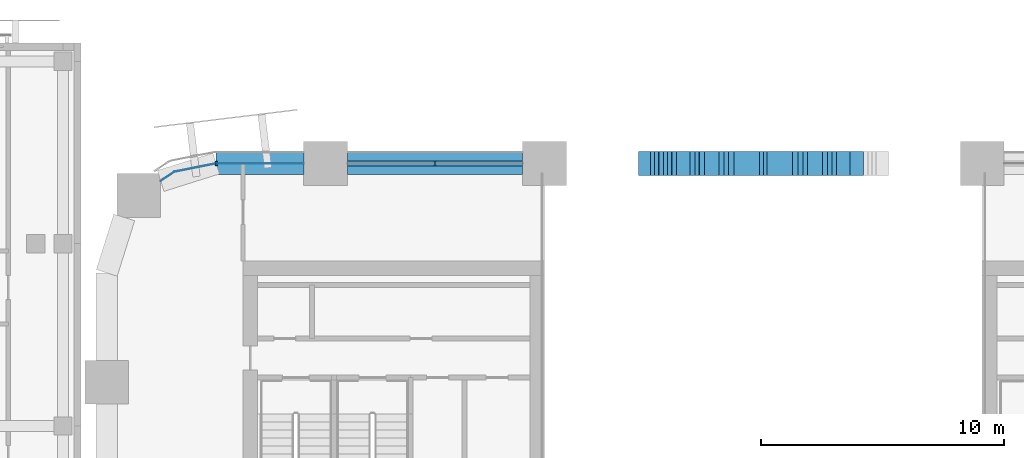
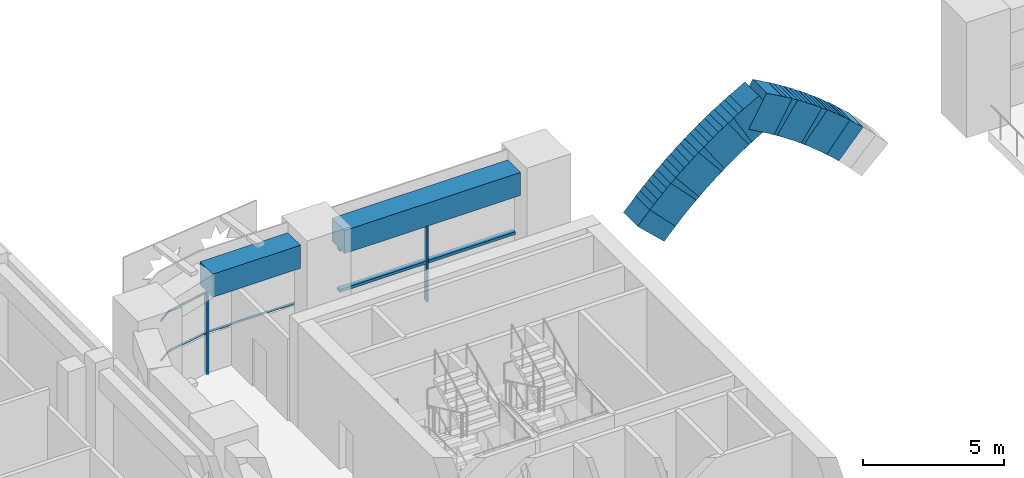
# One storey, part 8 of 40: 20 members, 2 beams, 2 elements without a shape of their own.
"""IFC4 building model written with IfcOpenShell, lengths in metres."""

from ifc_helpers import new_model, si_unit, direction, frame, origin, origin_2d, place, context, subcontext, project, spatial, polyline, rectangle, outline, extrude, material, material_profile, profile_set, type_object, element, aggregate, save


model = new_model("IFC4")

# Units and contexts
model_context = context("Model", 3, precision=1e-05, world=origin(), true_north=direction((0.0, 1.0)))
body_context = subcontext(model_context, "Body", "Model", "MODEL_VIEW")
ifc_project = project(units=[si_unit("LENGTHUNIT", "METRE"), si_unit("AREAUNIT", "SQUARE_METRE"), si_unit("VOLUMEUNIT", "CUBIC_METRE"), si_unit("PLANEANGLEUNIT", "RADIAN"), si_unit("MASSUNIT", "GRAM", prefix="KILO")], contexts=[model_context])

# Site, building, storey
site_placement = place(None, origin())
site = spatial("IfcSite", under=ifc_project, at=site_placement, CompositionType="ELEMENT")
building_placement = place(site_placement, origin())
building = spatial("IfcBuilding", under=site, at=building_placement, Name="Tessera Arch", CompositionType="ELEMENT")
storey_placement = place(building_placement, frame((0.0, 0.0, 21.0)))
storey = spatial("IfcBuildingStorey", under=building, at=storey_placement, Name="L03", CompositionType="ELEMENT", Elevation=21.0)

# Members
ifc_material_1 = material(Name="Concrete C80/95", Category="concrete")
ifc_material_profile_1 = material_profile(ifc_material_1, rectangle(XDim=1.0, YDim=1.5, at=origin_2d()), Name="RC 1000x1500")
ifc_profile_set_1 = profile_set([ifc_material_profile_1], Name="Concrete C80/95")
member_type_1 = type_object("IfcMemberType", Name="Arch rib RC 1000x1500", PredefinedType="MEMBER", material=ifc_profile_set_1)
for number, where, z_axis, x_axis, name in (
    (1, (22.409423828125, 54.0, 0.057861328125), (0.686468964072, 0.0, 0.727159103199), (0.0, 1.0, 0.0), "Arch rib C segment 9"),
    (2, (22.886474609375, 54.0, 0.57861328125), (0.716556380698, 0.0, 0.697529177369), (0.0, 1.0, 0.0), "Arch rib C segment 10"),
    (3, (23.38525390625, 54.0, 1.078857421875), (0.745283662993, 0.0, 0.666747524687), (0.0, 1.0, 0.0), "Arch rib C segment 11"),
):
    element("IfcMember", number, at=place(storey_placement, frame(where, z_axis=z_axis, x_axis=x_axis)), inside=storey, type_object=member_type_1, Name=name, PredefinedType="MEMBER", context=body_context, shape_type="SweptSolid", body=[
        extrude(rectangle(XDim=1.0, YDim=1.5, at=origin_2d()), origin(), (0.0, 0.0, 1.0), 1.2060546875),
    ])
member_1_placement = place(storey_placement, frame((23.90478515625, 54.0, 1.557861328125), z_axis=(0.77276526354, 0.0, 0.634691931149), x_axis=(0.0, 1.0, 0.0)))
element("IfcMember", 4, at=member_1_placement, inside=storey, type_object=member_type_1, Name="Arch rib C segment 12", PredefinedType="MEMBER", context=body_context, shape_type="SweptSolid", body=[
    extrude(rectangle(XDim=1.0, YDim=1.5, at=origin_2d()), origin(), (0.0, 0.0, 1.0), 1.205810546875),
])
for number, where, z_axis, x_axis, name in (
    (5, (24.44384765625, 54.0, 2.01416015625), (0.798783788492, 0.0, 0.601618200557), (0.0, 1.0, 0.0), "Arch rib C segment 13"),
    (6, (25.001708984375, 54.0, 2.447509765625), (0.823450856491, 0.0, 0.567387598511), (0.0, 1.0, 0.0), "Arch rib C segment 14"),
):
    element("IfcMember", number, at=place(storey_placement, frame(where, z_axis=z_axis, x_axis=x_axis)), inside=storey, type_object=member_type_1, Name=name, PredefinedType="MEMBER", context=body_context, shape_type="SweptSolid", body=[
        extrude(rectangle(XDim=1.0, YDim=1.5, at=origin_2d()), origin(), (0.0, 0.0, 1.0), 1.2060546875),
    ])
member_2_placement = place(storey_placement, frame((25.577392578125, 54.0, 2.85693359375), z_axis=(0.846665209367, 0.0, 0.532125946791), x_axis=(0.0, 1.0, 0.0)))
element("IfcMember", 7, at=member_2_placement, inside=storey, type_object=member_type_1, Name="Arch rib C segment 15", PredefinedType="MEMBER", context=body_context, shape_type="SweptSolid", body=[
    extrude(rectangle(XDim=1.0, YDim=1.5, at=origin_2d()), origin(), (0.0, 0.0, 1.0), 1.206298828125),
])
for number, where, z_axis, x_axis, name in (
    (8, (26.169921875, 54.0, 3.24169921875), (0.868230684499, 0.0, 0.496160738566), (0.0, 1.0, 0.0), "Arch rib C segment 16"),
    (9, (30.61474609375, 54.0, 1.078857421875), (-0.745283662993, 0.0, 0.666747524687), (0.0, -1.0, 0.0), "Arch rib C segment 27"),
):
    element("IfcMember", number, at=place(storey_placement, frame(where, z_axis=z_axis, x_axis=x_axis)), inside=storey, type_object=member_type_1, Name=name, PredefinedType="MEMBER", context=body_context, shape_type="SweptSolid", body=[
        extrude(rectangle(XDim=1.0, YDim=1.5, at=origin_2d()), origin(), (0.0, 0.0, 1.0), 1.2060546875),
    ])
member_3_placement = place(storey_placement, frame((30.09521484375, 54.0, 1.557861328125), z_axis=(-0.77276526354, 0.0, 0.634691931149), x_axis=(0.0, -1.0, 0.0)))
element("IfcMember", 10, at=member_3_placement, inside=storey, type_object=member_type_1, Name="Arch rib C segment 28", PredefinedType="MEMBER", context=body_context, shape_type="SweptSolid", body=[
    extrude(rectangle(XDim=1.0, YDim=1.5, at=origin_2d()), origin(), (0.0, 0.0, 1.0), 1.205810546875),
])
for number, where, z_axis, x_axis, name in (
    (11, (29.55615234375, 54.0, 2.01416015625), (-0.798783788492, 0.0, 0.601618200557), (0.0, -1.0, 0.0), "Arch rib C segment 29"),
    (12, (28.998291015625, 54.0, 2.447509765625), (-0.823450856491, 0.0, 0.567387598511), (0.0, -1.0, 0.0), "Arch rib C segment 30"),
):
    element("IfcMember", number, at=place(storey_placement, frame(where, z_axis=z_axis, x_axis=x_axis)), inside=storey, type_object=member_type_1, Name=name, PredefinedType="MEMBER", context=body_context, shape_type="SweptSolid", body=[
        extrude(rectangle(XDim=1.0, YDim=1.5, at=origin_2d()), origin(), (0.0, 0.0, 1.0), 1.2060546875),
    ])
member_4_placement = place(storey_placement, frame((28.422607421875, 54.0, 2.85693359375), z_axis=(-0.846665209367, 0.0, 0.532125946791), x_axis=(0.0, -1.0, 0.0)))
element("IfcMember", 13, at=member_4_placement, inside=storey, type_object=member_type_1, Name="Arch rib C segment 31", PredefinedType="MEMBER", context=body_context, shape_type="SweptSolid", body=[
    extrude(rectangle(XDim=1.0, YDim=1.5, at=origin_2d()), origin(), (0.0, 0.0, 1.0), 1.206298828125),
])
member_5_placement = place(storey_placement, frame((27.830078125, 54.0, 3.24169921875), z_axis=(-0.868230684499, 0.0, 0.496160738566), x_axis=(0.0, -1.0, 0.0)))
element("IfcMember", 14, at=member_5_placement, inside=storey, type_object=member_type_1, Name="Arch rib C segment 32", PredefinedType="MEMBER", context=body_context, shape_type="SweptSolid", body=[
    extrude(rectangle(XDim=1.0, YDim=1.5, at=origin_2d()), origin(), (0.0, 0.0, 1.0), 1.2060546875),
])

# Curtain wall, members
ifc_material_2 = material(Name="CW2 curtain wall")
curtain_wall_type_1 = type_object("IfcCurtainWallType", Name="CW2 curtain wall", PredefinedType="NOTDEFINED", material=ifc_material_2)
curtain_wall_1_placement = place(storey_placement, origin())
curtain_wall_1 = element("IfcCurtainWall", 15, at=curtain_wall_1_placement, inside=storey, type_object=curtain_wall_type_1, Name="CW2 curtain wall N54.0/1 L03", PredefinedType="NOTDEFINED")
ifc_material_3 = material(Name="Anodised aluminium pale metal", Category="aluminium")
ifc_material_profile_2 = material_profile(ifc_material_3, rectangle(XDim=0.199951171875, YDim=0.080078125, at=origin_2d()), Name="AL 80x200")
ifc_profile_set_2 = profile_set([ifc_material_profile_2], Name="Anodised aluminium pale metal")
member_type_2 = type_object("IfcMemberType", Name="CW2 mullion", PredefinedType="MULLION", material=ifc_profile_set_2)
member_6_placement = place(storey_placement, frame((4.5, 54.0, 0.0), z_axis=(0.0, 0.0, 1.0), x_axis=(0.0, -1.0, 0.0)))
member_6 = element("IfcMember", 16, at=member_6_placement, type_object=member_type_2, Name="CW2 mullion N54.0/1 1", PredefinedType="MULLION", context=body_context, shape_type="SweptSolid", body=[
    extrude(rectangle(XDim=0.199951171875, YDim=0.080078125, at=origin_2d()), origin(), (0.0, 0.0, 1.0), 3.449951171875),
])
ifc_material_4 = material(Name="Anodised aluminium pale metal", Category="aluminium")
ifc_material_profile_3 = material_profile(ifc_material_4, rectangle(XDim=0.199951171875, YDim=0.10009765625, at=origin_2d()), Name="AL 200x100")
ifc_profile_set_3 = profile_set([ifc_material_profile_3], Name="Anodised aluminium pale metal")
member_type_3 = type_object("IfcMemberType", Name="CW2 transom", PredefinedType="USERDEFINED", material=ifc_profile_set_3)
member_7_placement = place(storey_placement, frame((0.0, 0.0, 1.72509765625)))
member_7 = element("IfcMember", 17, at=member_7_placement, type_object=member_type_3, Name="CW2 transom N54.0/1 1", ObjectType="TRANSOM", PredefinedType="USERDEFINED", context=body_context, shape_type="SweptSolid", body=[
    extrude(outline(polyline([(4.5009765625, 53.989990234375), (8.10009765625, 53.989990234375), (8.10009765625, 54.010009765625), (4.4990234375, 54.010009765625), (2.77392578125, 53.6669921875), (2.21240234375, 53.29150390625), (2.2236328125, 53.27490234375), (2.78173828125, 53.648193359375), (4.5009765625, 53.989990234375)])), origin(), (0.0, 0.0, 1.0), 0.099853515625),
])
member_8_placement = place(storey_placement, frame((0.0, 0.0, 3.449951171875)))
member_8 = element("IfcMember", 18, at=member_8_placement, type_object=member_type_3, Name="CW2 transom N54.0/1 2", ObjectType="TRANSOM", PredefinedType="USERDEFINED", context=body_context, shape_type="SweptSolid", body=[
    extrude(outline(polyline([(4.5009765625, 53.989990234375), (8.10009765625, 53.989990234375), (8.10009765625, 54.010009765625), (4.4990234375, 54.010009765625), (2.77392578125, 53.6669921875), (2.21240234375, 53.29150390625), (2.2236328125, 53.27490234375), (2.78173828125, 53.648193359375), (4.5009765625, 53.989990234375)])), origin(), (0.0, 0.0, 1.0), 0.10009765625),
])
aggregate(curtain_wall_1, [member_6, member_7, member_8])

ifc_material_5 = material(Name="CW6 curtain wall")
curtain_wall_type_2 = type_object("IfcCurtainWallType", Name="CW6 curtain wall", PredefinedType="NOTDEFINED", material=ifc_material_5)
curtain_wall_2_placement = place(storey_placement, origin())
curtain_wall_2 = element("IfcCurtainWall", 19, at=curtain_wall_2_placement, inside=storey, type_object=curtain_wall_type_2, Name="CW6 curtain wall N54.0/0 L03", PredefinedType="NOTDEFINED")
ifc_material_6 = material(Name="Anodised aluminium pale metal", Category="aluminium")
ifc_material_profile_4 = material_profile(ifc_material_6, rectangle(XDim=0.199951171875, YDim=0.070068359375, at=origin_2d()), Name="AL 70x200")
ifc_profile_set_4 = profile_set([ifc_material_profile_4], Name="Anodised aluminium pale metal")
member_type_4 = type_object("IfcMemberType", Name="CW6 mullion", PredefinedType="MULLION", material=ifc_profile_set_4)
member_9_placement = place(storey_placement, frame((13.5, 54.0, 0.0), z_axis=(0.0, 0.0, 1.0), x_axis=(0.0, -1.0, 0.0)))
member_9 = element("IfcMember", 20, at=member_9_placement, type_object=member_type_4, Name="CW6 mullion N54.0/0 1", PredefinedType="MULLION", context=body_context, shape_type="SweptSolid", body=[
    extrude(rectangle(XDim=0.199951171875, YDim=0.070068359375, at=origin_2d()), origin(), (0.0, 0.0, 1.0), 3.429931640625),
])
ifc_material_7 = material(Name="Anodised aluminium pale metal", Category="aluminium")
ifc_material_profile_5 = material_profile(ifc_material_7, rectangle(XDim=0.199951171875, YDim=0.1201171875, at=origin_2d()), Name="AL 200x120")
ifc_profile_set_5 = profile_set([ifc_material_profile_5], Name="Anodised aluminium pale metal")
member_type_5 = type_object("IfcMemberType", Name="CW6 transom", PredefinedType="USERDEFINED", material=ifc_profile_set_5)
member_10_placement = place(storey_placement, frame((17.10009765625, 54.0, 3.489990234375), z_axis=(-1.0, 0.0, 0.0), x_axis=(0.0, -1.0, 0.0)))
member_10 = element("IfcMember", 21, at=member_10_placement, type_object=member_type_5, Name="CW6 transom N54.0/0 1.1", ObjectType="TRANSOM", PredefinedType="USERDEFINED", context=body_context, shape_type="SweptSolid", body=[
    extrude(rectangle(XDim=0.199951171875, YDim=0.1201171875, at=origin_2d()), origin(), (0.0, 0.0, 1.0), 7.2001953125),
])
member_11_placement = place(storey_placement, frame((17.10009765625, 54.0, 1.715087890625), z_axis=(-1.0, 0.0, 0.0), x_axis=(0.0, -1.0, 0.0)))
member_11 = element("IfcMember", 22, at=member_11_placement, type_object=member_type_5, Name="CW6 transom N54.0/0 2.1", ObjectType="TRANSOM", PredefinedType="USERDEFINED", context=body_context, shape_type="SweptSolid", body=[
    extrude(rectangle(XDim=0.199951171875, YDim=0.1201171875, at=origin_2d()), origin(), (0.0, 0.0, 1.0), 7.2001953125),
])
aggregate(curtain_wall_2, [member_9, member_10, member_11])

# Beams
ifc_material_8 = material(Name="Concrete C80/95", Category="concrete")
ifc_material_profile_6 = material_profile(ifc_material_8, rectangle(XDim=0.89990234375, YDim=1.0, at=origin_2d()), Name="RC spandrel beam 900 x 1000 Concrete C80/95")
ifc_profile_set_6 = profile_set([ifc_material_profile_6], Name="Concrete C80/95")
beam_type = type_object("IfcBeamType", Name="RC spandrel beam 900 x 1000 Concrete C80/95", PredefinedType="BEAM", material=ifc_profile_set_6)
beam_1_placement = place(storey_placement, frame((17.10009765625, 54.0, 4.050048828125), z_axis=(-1.0, 0.0, 0.0), x_axis=(0.0, -1.0, 0.0)))
element("IfcBeam", 23, at=beam_1_placement, inside=storey, type_object=beam_type, Name="Spandrel beam L03 N54.0/0", PredefinedType="BEAM", context=body_context, shape_type="SweptSolid", body=[
    extrude(rectangle(XDim=0.89990234375, YDim=1.0, at=origin_2d()), origin(), (0.0, 0.0, 1.0), 7.2001953125),
])
beam_2_placement = place(storey_placement, frame((8.10009765625, 54.0, 4.050048828125), z_axis=(-1.0, 0.0, 0.0), x_axis=(0.0, -1.0, 0.0)))
element("IfcBeam", 24, at=beam_2_placement, inside=storey, type_object=beam_type, Name="Spandrel beam L03 N54.0/1.1", PredefinedType="BEAM", context=body_context, shape_type="SweptSolid", body=[
    extrude(rectangle(XDim=0.89990234375, YDim=1.0, at=origin_2d()), origin(), (0.0, 0.0, 1.0), 3.60009765625),
])

save(model, "model.ifc")
